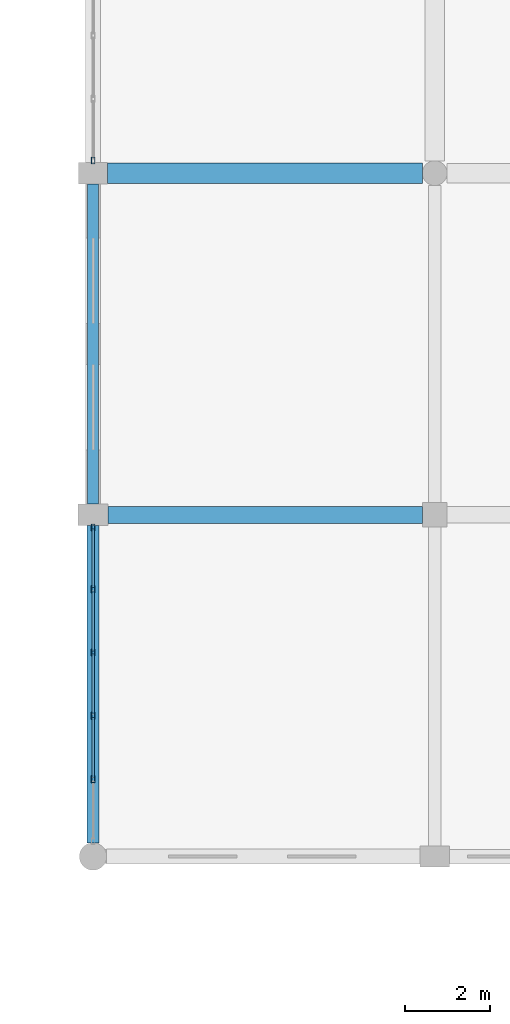
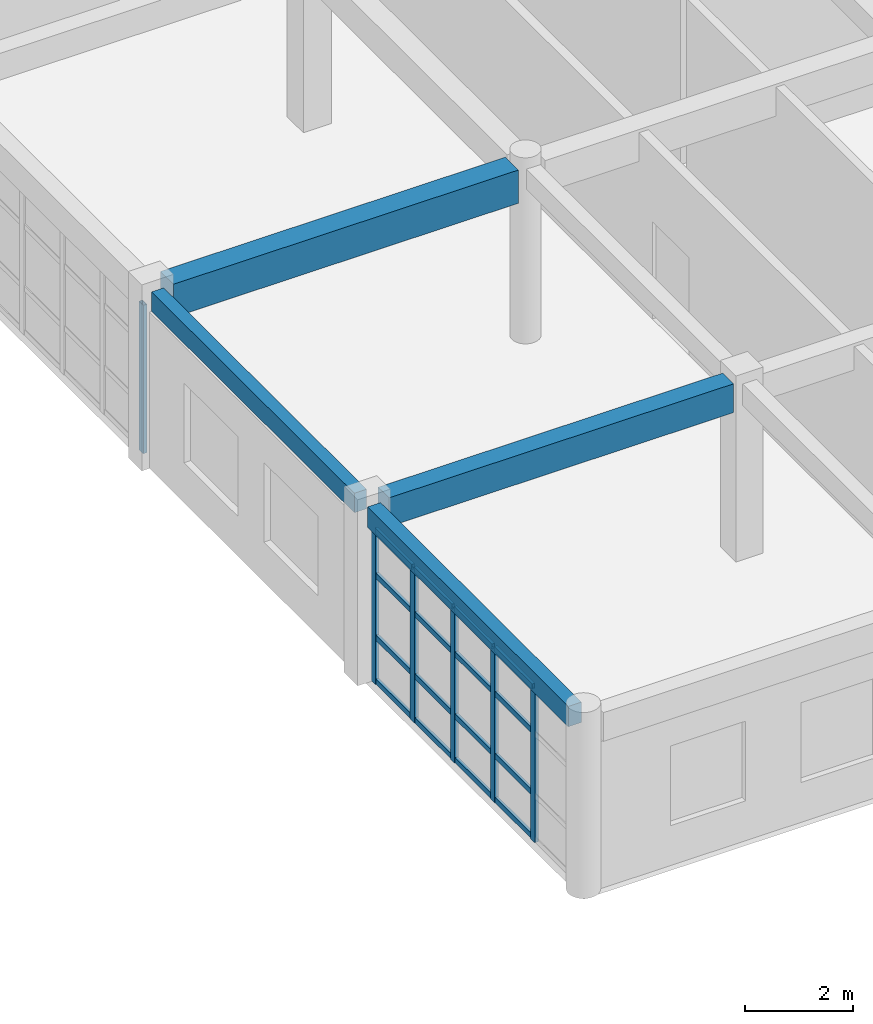
# One storey, part 18 of 53: 22 members, 4 beams, 2 elements without a shape of their own.
"""IFC4 building model written with IfcOpenShell, lengths in metres."""

from ifc_helpers import new_model, si_unit, direction, frame, origin, origin_2d, place, context, subcontext, project, spatial, rectangle, hollow_rectangle, extrude, material, material_profile, profile_set, type_object, element, aggregate, save


model = new_model("IFC4")

# Units and contexts
model_context = context("Model", 3, precision=1e-05, world=origin(), true_north=direction((0.0, 1.0)))
body_context = subcontext(model_context, "Body", "Model", "MODEL_VIEW")
ifc_project = project(units=[si_unit("LENGTHUNIT", "METRE"), si_unit("AREAUNIT", "SQUARE_METRE"), si_unit("VOLUMEUNIT", "CUBIC_METRE"), si_unit("PLANEANGLEUNIT", "RADIAN"), si_unit("MASSUNIT", "GRAM", prefix="KILO")], contexts=[model_context])

# Site, building, storey
site_placement = place(None, origin())
site = spatial("IfcSite", under=ifc_project, at=site_placement, CompositionType="ELEMENT")
building_placement = place(site_placement, origin())
building = spatial("IfcBuilding", under=site, at=building_placement, Name="Kharva Crest Polytechnic", CompositionType="ELEMENT")
storey_placement = place(building_placement, frame((0.0, 0.0, 17.39990234375)))
storey = spatial("IfcBuildingStorey", under=building, at=storey_placement, Name="L04", CompositionType="ELEMENT", Elevation=17.39990234375)

# Beams
ifc_material_1 = material(Name="Concrete C35/45", Category="concrete")
ifc_material_profile_1 = material_profile(ifc_material_1, rectangle(XDim=0.39990234375, YDim=0.64990234375, at=origin_2d()), Name="RECT 400 X 650")
ifc_profile_set_1 = profile_set([ifc_material_profile_1], Name="Concrete C35/45")
beam_type_1 = type_object("IfcBeamType", Name="BM-RC-400X650", PredefinedType="BEAM", material=ifc_profile_set_1)
beam_1_placement = place(storey_placement, frame((153.14990234375, 46.800048828125, 3.64501953125), z_axis=(1.0, 0.0, 0.0), x_axis=(0.0, 1.0, 0.0)))
element("IfcBeam", 1, at=beam_1_placement, inside=storey, type_object=beam_type_1, Name="L04 Beam G/20-21", PredefinedType="BEAM", context=body_context, shape_type="SweptSolid", body=[
    extrude(rectangle(XDim=0.39990234375, YDim=0.64990234375, at=origin_2d()), origin(), (0.0, 0.0, 1.0), 7.360107421875),
])
ifc_material_profile_2 = material_profile(ifc_material_1, rectangle(XDim=0.47998046875, YDim=0.75, at=origin_2d()), Name="RECT 480 X 750")
ifc_profile_set_2 = profile_set([ifc_material_profile_2], Name="Concrete C35/45")
beam_type_2 = type_object("IfcBeamType", Name="BM-RC-480X750", PredefinedType="BEAM", material=ifc_profile_set_2)
beam_2_placement = place(storey_placement, frame((153.139892578125, 54.800048828125, 3.59521484375), z_axis=(1.0, 0.0, 0.0), x_axis=(0.0, 1.0, 0.0)))
element("IfcBeam", 2, at=beam_2_placement, inside=storey, type_object=beam_type_2, Name="L04 Beam H/20-21", PredefinedType="BEAM", context=body_context, shape_type="SweptSolid", body=[
    extrude(rectangle(XDim=0.47998046875, YDim=0.75, at=origin_2d()), origin(), (0.0, 0.0, 1.0), 7.3701171875),
])

# Curtain wall, member
ifc_material_2 = material(Name="Tempered insulated glass", Category="glass")
curtain_wall_type = type_object("IfcCurtainWallType", Name="CW-SYS-STUDIO", PredefinedType="USERDEFINED", material=ifc_material_2)
curtain_wall_1_placement = place(storey_placement, origin())
curtain_wall_1 = element("IfcCurtainWall", 3, at=curtain_wall_1_placement, inside=storey, type_object=curtain_wall_type, Name="L04 Glazed Curtain Wall CW-184", ObjectType="CURTAIN WALL", PredefinedType="USERDEFINED")
ifc_material_3 = material(Name="Steel S355", Category="steel")
ifc_material_profile_3 = material_profile(ifc_material_3, hollow_rectangle(XDim=0.080078125, YDim=0.159912109375, WallThickness=0.0048828125, at=origin_2d()), Name="RHS 160X80X5.0")
ifc_profile_set_3 = profile_set([ifc_material_profile_3], Name="Steel S355")
member_type_1 = type_object("IfcMemberType", Name="CWM-RHS160X80", PredefinedType="MULLION", material=ifc_profile_set_3)
member_1_placement = place(storey_placement, frame((152.800048828125, 55.094970703125, 0.0), z_axis=(0.0, 0.0, 1.0), x_axis=(1.0, 0.0, 0.0)))
member_1 = element("IfcMember", 4, at=member_1_placement, type_object=member_type_1, Name="CW-184 mullion 6", PredefinedType="MULLION", context=body_context, shape_type="SweptSolid", body=[
    extrude(hollow_rectangle(XDim=0.080078125, YDim=0.159912109375, WallThickness=0.0048828125, at=origin_2d()), origin(), (0.0, 0.0, 1.0), 3.35009765625),
])
aggregate(curtain_wall_1, [member_1])

# Curtain wall, members
curtain_wall_2_placement = place(storey_placement, origin())
curtain_wall_2 = element("IfcCurtainWall", 5, at=curtain_wall_2_placement, inside=storey, type_object=curtain_wall_type, Name="L04 Glazed Curtain Wall CW-185", ObjectType="CURTAIN WALL", PredefinedType="USERDEFINED")
member_2_placement = place(storey_placement, frame((152.800048828125, 46.5048828125, 0.0), z_axis=(0.0, 0.0, 1.0), x_axis=(1.0, 0.0, 0.0)))
member_2 = element("IfcMember", 6, at=member_2_placement, type_object=member_type_1, Name="CW-185 mullion 1", PredefinedType="MULLION", context=body_context, shape_type="SweptSolid", body=[
    extrude(hollow_rectangle(XDim=0.080078125, YDim=0.159912109375, WallThickness=0.0048828125, at=origin_2d()), origin(), (0.0, 0.0, 1.0), 3.510009765625),
])
member_3_placement = place(storey_placement, frame((152.800048828125, 45.06103515625, 0.0), z_axis=(0.0, 0.0, 1.0), x_axis=(1.0, 0.0, 0.0)))
member_3 = element("IfcMember", 7, at=member_3_placement, type_object=member_type_1, Name="CW-185 mullion 2", PredefinedType="MULLION", context=body_context, shape_type="SweptSolid", body=[
    extrude(hollow_rectangle(XDim=0.080078125, YDim=0.159912109375, WallThickness=0.0048828125, at=origin_2d()), origin(), (0.0, 0.0, 1.0), 3.510009765625),
])
member_4_placement = place(storey_placement, frame((152.800048828125, 43.576904296875, 0.0), z_axis=(0.0, 0.0, 1.0), x_axis=(1.0, 0.0, 0.0)))
member_4 = element("IfcMember", 8, at=member_4_placement, type_object=member_type_1, Name="CW-185 mullion 3", PredefinedType="MULLION", context=body_context, shape_type="SweptSolid", body=[
    extrude(hollow_rectangle(XDim=0.080078125, YDim=0.159912109375, WallThickness=0.0048828125, at=origin_2d()), origin(), (0.0, 0.0, 1.0), 3.510009765625),
])
member_5_placement = place(storey_placement, frame((152.800048828125, 42.093017578125, 0.0), z_axis=(0.0, 0.0, 1.0), x_axis=(1.0, 0.0, 0.0)))
member_5 = element("IfcMember", 9, at=member_5_placement, type_object=member_type_1, Name="CW-185 mullion 4", PredefinedType="MULLION", context=body_context, shape_type="SweptSolid", body=[
    extrude(hollow_rectangle(XDim=0.080078125, YDim=0.159912109375, WallThickness=0.0048828125, at=origin_2d()), origin(), (0.0, 0.0, 1.0), 3.510009765625),
])
member_6_placement = place(storey_placement, frame((152.800048828125, 40.60888671875, 0.0), z_axis=(0.0, 0.0, 1.0), x_axis=(1.0, 0.0, 0.0)))
member_6 = element("IfcMember", 10, at=member_6_placement, type_object=member_type_1, Name="CW-185 mullion 5", PredefinedType="MULLION", context=body_context, shape_type="SweptSolid", body=[
    extrude(hollow_rectangle(XDim=0.080078125, YDim=0.159912109375, WallThickness=0.0048828125, at=origin_2d()), origin(), (0.0, 0.0, 1.0), 3.510009765625),
])
ifc_material_profile_4 = material_profile(ifc_material_3, hollow_rectangle(XDim=0.06005859375, YDim=0.1201171875, WallThickness=0.00390625, at=origin_2d()), Name="RHS 120X60X4.0")
ifc_profile_set_4 = profile_set([ifc_material_profile_4], Name="Steel S355")
member_type_2 = type_object("IfcMemberType", Name="CWT-RHS120X60", PredefinedType="USERDEFINED", material=ifc_profile_set_4)
member_7_placement = place(storey_placement, frame((152.800048828125, 46.465087890625, 0.06005859375), z_axis=(0.0, -1.0, 0.0), x_axis=(1.0, 0.0, 0.0)))
member_7 = element("IfcMember", 11, at=member_7_placement, type_object=member_type_2, Name="CW-185 transom 1.1", ObjectType="TRANSOM", PredefinedType="USERDEFINED", context=body_context, shape_type="SweptSolid", body=[
    extrude(hollow_rectangle(XDim=0.06005859375, YDim=0.1201171875, WallThickness=0.00390625, at=origin_2d()), origin(), (0.0, 0.0, 1.0), 1.364013671875),
])
member_8_placement = place(storey_placement, frame((152.800048828125, 46.465087890625, 1.050048828125), z_axis=(0.0, -1.0, 0.0), x_axis=(1.0, 0.0, 0.0)))
member_8 = element("IfcMember", 12, at=member_8_placement, type_object=member_type_2, Name="CW-185 transom 1.2", ObjectType="TRANSOM", PredefinedType="USERDEFINED", context=body_context, shape_type="SweptSolid", body=[
    extrude(hollow_rectangle(XDim=0.06005859375, YDim=0.1201171875, WallThickness=0.00390625, at=origin_2d()), origin(), (0.0, 0.0, 1.0), 1.364013671875),
])
member_9_placement = place(storey_placement, frame((152.800048828125, 46.465087890625, 2.4501953125), z_axis=(0.0, -1.0, 0.0), x_axis=(1.0, 0.0, 0.0)))
member_9 = element("IfcMember", 13, at=member_9_placement, type_object=member_type_2, Name="CW-185 transom 1.3", ObjectType="TRANSOM", PredefinedType="USERDEFINED", context=body_context, shape_type="SweptSolid", body=[
    extrude(hollow_rectangle(XDim=0.06005859375, YDim=0.1201171875, WallThickness=0.00390625, at=origin_2d()), origin(), (0.0, 0.0, 1.0), 1.364013671875),
])
member_10_placement = place(storey_placement, frame((152.800048828125, 46.465087890625, 3.4501953125), z_axis=(0.0, -1.0, 0.0), x_axis=(1.0, 0.0, 0.0)))
member_10 = element("IfcMember", 14, at=member_10_placement, type_object=member_type_2, Name="CW-185 transom 1.4", ObjectType="TRANSOM", PredefinedType="USERDEFINED", context=body_context, shape_type="SweptSolid", body=[
    extrude(hollow_rectangle(XDim=0.06005859375, YDim=0.1201171875, WallThickness=0.00390625, at=origin_2d()), origin(), (0.0, 0.0, 1.0), 1.364013671875),
])
member_11_placement = place(storey_placement, frame((152.800048828125, 45.02099609375, 0.06005859375), z_axis=(0.0, -1.0, 0.0), x_axis=(1.0, 0.0, 0.0)))
member_11 = element("IfcMember", 15, at=member_11_placement, type_object=member_type_2, Name="CW-185 transom 2.1", ObjectType="TRANSOM", PredefinedType="USERDEFINED", context=body_context, shape_type="SweptSolid", body=[
    extrude(hollow_rectangle(XDim=0.06005859375, YDim=0.1201171875, WallThickness=0.00390625, at=origin_2d()), origin(), (0.0, 0.0, 1.0), 1.404052734375),
])
member_12_placement = place(storey_placement, frame((152.800048828125, 45.02099609375, 1.050048828125), z_axis=(0.0, -1.0, 0.0), x_axis=(1.0, 0.0, 0.0)))
member_12 = element("IfcMember", 16, at=member_12_placement, type_object=member_type_2, Name="CW-185 transom 2.2", ObjectType="TRANSOM", PredefinedType="USERDEFINED", context=body_context, shape_type="SweptSolid", body=[
    extrude(hollow_rectangle(XDim=0.06005859375, YDim=0.1201171875, WallThickness=0.00390625, at=origin_2d()), origin(), (0.0, 0.0, 1.0), 1.404052734375),
])
member_13_placement = place(storey_placement, frame((152.800048828125, 45.02099609375, 2.4501953125), z_axis=(0.0, -1.0, 0.0), x_axis=(1.0, 0.0, 0.0)))
member_13 = element("IfcMember", 17, at=member_13_placement, type_object=member_type_2, Name="CW-185 transom 2.3", ObjectType="TRANSOM", PredefinedType="USERDEFINED", context=body_context, shape_type="SweptSolid", body=[
    extrude(hollow_rectangle(XDim=0.06005859375, YDim=0.1201171875, WallThickness=0.00390625, at=origin_2d()), origin(), (0.0, 0.0, 1.0), 1.404052734375),
])
member_14_placement = place(storey_placement, frame((152.800048828125, 45.02099609375, 3.4501953125), z_axis=(0.0, -1.0, 0.0), x_axis=(1.0, 0.0, 0.0)))
member_14 = element("IfcMember", 18, at=member_14_placement, type_object=member_type_2, Name="CW-185 transom 2.4", ObjectType="TRANSOM", PredefinedType="USERDEFINED", context=body_context, shape_type="SweptSolid", body=[
    extrude(hollow_rectangle(XDim=0.06005859375, YDim=0.1201171875, WallThickness=0.00390625, at=origin_2d()), origin(), (0.0, 0.0, 1.0), 1.404052734375),
])
member_15_placement = place(storey_placement, frame((152.800048828125, 43.537109375, 0.06005859375), z_axis=(0.0, -1.0, 0.0), x_axis=(1.0, 0.0, 0.0)))
member_15 = element("IfcMember", 19, at=member_15_placement, type_object=member_type_2, Name="CW-185 transom 3.1", ObjectType="TRANSOM", PredefinedType="USERDEFINED", context=body_context, shape_type="SweptSolid", body=[
    extrude(hollow_rectangle(XDim=0.06005859375, YDim=0.1201171875, WallThickness=0.00390625, at=origin_2d()), origin(), (0.0, 0.0, 1.0), 1.404052734375),
])
member_16_placement = place(storey_placement, frame((152.800048828125, 43.537109375, 1.050048828125), z_axis=(0.0, -1.0, 0.0), x_axis=(1.0, 0.0, 0.0)))
member_16 = element("IfcMember", 20, at=member_16_placement, type_object=member_type_2, Name="CW-185 transom 3.2", ObjectType="TRANSOM", PredefinedType="USERDEFINED", context=body_context, shape_type="SweptSolid", body=[
    extrude(hollow_rectangle(XDim=0.06005859375, YDim=0.1201171875, WallThickness=0.00390625, at=origin_2d()), origin(), (0.0, 0.0, 1.0), 1.404052734375),
])
member_17_placement = place(storey_placement, frame((152.800048828125, 43.537109375, 2.4501953125), z_axis=(0.0, -1.0, 0.0), x_axis=(1.0, 0.0, 0.0)))
member_17 = element("IfcMember", 21, at=member_17_placement, type_object=member_type_2, Name="CW-185 transom 3.3", ObjectType="TRANSOM", PredefinedType="USERDEFINED", context=body_context, shape_type="SweptSolid", body=[
    extrude(hollow_rectangle(XDim=0.06005859375, YDim=0.1201171875, WallThickness=0.00390625, at=origin_2d()), origin(), (0.0, 0.0, 1.0), 1.404052734375),
])
member_18_placement = place(storey_placement, frame((152.800048828125, 43.537109375, 3.4501953125), z_axis=(0.0, -1.0, 0.0), x_axis=(1.0, 0.0, 0.0)))
member_18 = element("IfcMember", 22, at=member_18_placement, type_object=member_type_2, Name="CW-185 transom 3.4", ObjectType="TRANSOM", PredefinedType="USERDEFINED", context=body_context, shape_type="SweptSolid", body=[
    extrude(hollow_rectangle(XDim=0.06005859375, YDim=0.1201171875, WallThickness=0.00390625, at=origin_2d()), origin(), (0.0, 0.0, 1.0), 1.404052734375),
])
member_19_placement = place(storey_placement, frame((152.800048828125, 42.052978515625, 0.06005859375), z_axis=(0.0, -1.0, 0.0), x_axis=(1.0, 0.0, 0.0)))
member_19 = element("IfcMember", 23, at=member_19_placement, type_object=member_type_2, Name="CW-185 transom 4.1", ObjectType="TRANSOM", PredefinedType="USERDEFINED", context=body_context, shape_type="SweptSolid", body=[
    extrude(hollow_rectangle(XDim=0.06005859375, YDim=0.1201171875, WallThickness=0.00390625, at=origin_2d()), origin(), (0.0, 0.0, 1.0), 1.404052734375),
])
member_20_placement = place(storey_placement, frame((152.800048828125, 42.052978515625, 1.050048828125), z_axis=(0.0, -1.0, 0.0), x_axis=(1.0, 0.0, 0.0)))
member_20 = element("IfcMember", 24, at=member_20_placement, type_object=member_type_2, Name="CW-185 transom 4.2", ObjectType="TRANSOM", PredefinedType="USERDEFINED", context=body_context, shape_type="SweptSolid", body=[
    extrude(hollow_rectangle(XDim=0.06005859375, YDim=0.1201171875, WallThickness=0.00390625, at=origin_2d()), origin(), (0.0, 0.0, 1.0), 1.404052734375),
])
member_21_placement = place(storey_placement, frame((152.800048828125, 42.052978515625, 2.4501953125), z_axis=(0.0, -1.0, 0.0), x_axis=(1.0, 0.0, 0.0)))
member_21 = element("IfcMember", 25, at=member_21_placement, type_object=member_type_2, Name="CW-185 transom 4.3", ObjectType="TRANSOM", PredefinedType="USERDEFINED", context=body_context, shape_type="SweptSolid", body=[
    extrude(hollow_rectangle(XDim=0.06005859375, YDim=0.1201171875, WallThickness=0.00390625, at=origin_2d()), origin(), (0.0, 0.0, 1.0), 1.404052734375),
])
member_22_placement = place(storey_placement, frame((152.800048828125, 42.052978515625, 3.4501953125), z_axis=(0.0, -1.0, 0.0), x_axis=(1.0, 0.0, 0.0)))
member_22 = element("IfcMember", 26, at=member_22_placement, type_object=member_type_2, Name="CW-185 transom 4.4", ObjectType="TRANSOM", PredefinedType="USERDEFINED", context=body_context, shape_type="SweptSolid", body=[
    extrude(hollow_rectangle(XDim=0.06005859375, YDim=0.1201171875, WallThickness=0.00390625, at=origin_2d()), origin(), (0.0, 0.0, 1.0), 1.404052734375),
])
aggregate(curtain_wall_2, [member_2, member_3, member_4, member_5, member_6, member_7, member_8, member_9, member_10, member_11, member_12, member_13, member_14, member_15, member_16, member_17, member_18, member_19, member_20, member_21, member_22])

# Beams
ifc_material_profile_5 = material_profile(ifc_material_1, rectangle(XDim=0.260009765625, YDim=0.43994140625, at=origin_2d()), Name="RECT 260 X 440")
ifc_profile_set_5 = profile_set([ifc_material_profile_5], Name="Concrete C35/45")
beam_type_3 = type_object("IfcBeamType", Name="SP-RC-260X440", PredefinedType="SPANDREL", material=ifc_profile_set_5)
beam_3_placement = place(storey_placement, frame((152.800048828125, 47.050048828125, 3.75), z_axis=(0.0, 1.0, 0.0), x_axis=(-1.0, 0.0, 0.0)))
element("IfcBeam", 27, at=beam_3_placement, inside=storey, type_object=beam_type_3, Name="L04 Girder 20/G-H", PredefinedType="SPANDREL", context=body_context, shape_type="SweptSolid", body=[
    extrude(rectangle(XDim=0.260009765625, YDim=0.43994140625, at=origin_2d()), origin(), (0.0, 0.0, 1.0), 7.5),
])
ifc_material_profile_6 = material_profile(ifc_material_1, rectangle(XDim=0.280029296875, YDim=0.4599609375, at=origin_2d()), Name="RECT 280 X 460")
ifc_profile_set_6 = profile_set([ifc_material_profile_6], Name="Concrete C35/45")
beam_type_4 = type_object("IfcBeamType", Name="SP-RC-280X460", PredefinedType="SPANDREL", material=ifc_profile_set_6)
beam_4_placement = place(storey_placement, frame((152.800048828125, 39.1201171875, 3.739990234375), z_axis=(0.0, 1.0, 0.0), x_axis=(-1.0, 0.0, 0.0)))
element("IfcBeam", 28, at=beam_4_placement, inside=storey, type_object=beam_type_4, Name="L04 Girder 20/FJ-G", PredefinedType="SPANDREL", context=body_context, shape_type="SweptSolid", body=[
    extrude(rectangle(XDim=0.280029296875, YDim=0.4599609375, at=origin_2d()), origin(), (0.0, 0.0, 1.0), 7.429931640625),
])

save(model, "model.ifc")
